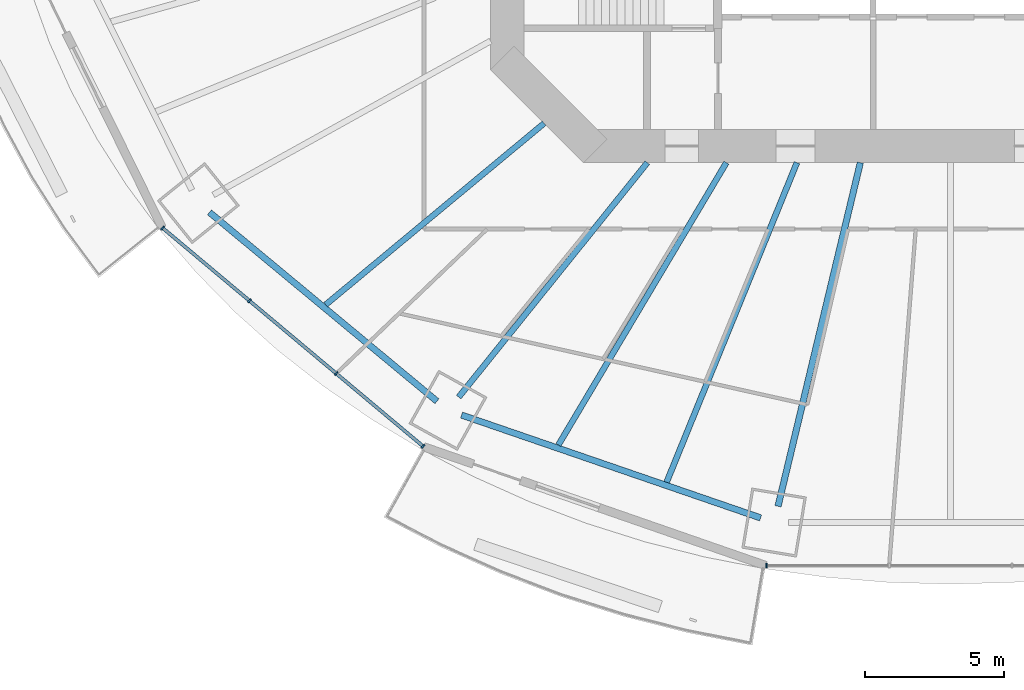
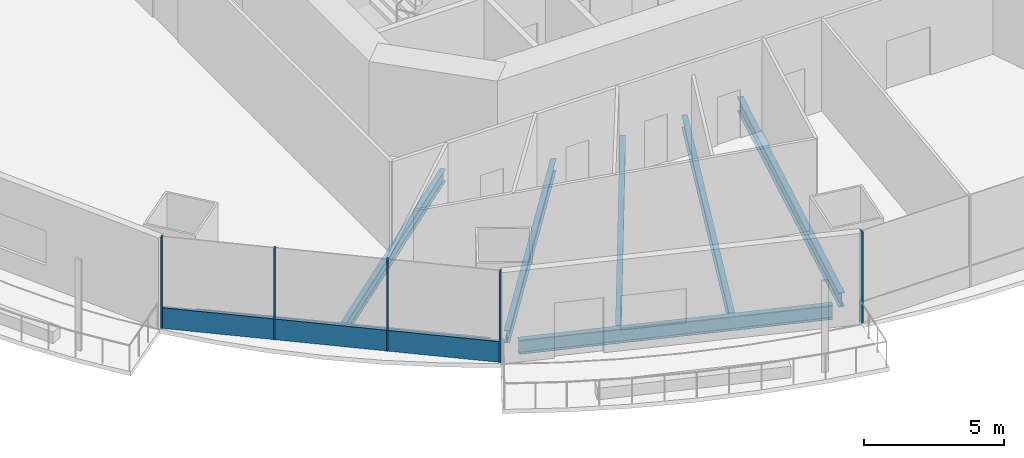
# One storey, part 2 of 22: 7 beams, 6 members, 2 elements without a shape of their own.
"""IFC4 building model written with IfcOpenShell, lengths in metres."""

from ifc_helpers import new_model, si_unit, direction, frame, origin, origin_2d, place, context, subcontext, project, spatial, rectangle, i_section, extrude, material, material_profile, profile_set, type_object, element, aggregate, save


model = new_model("IFC4")

# Units and contexts
model_context = context("Model", 3, precision=1e-05, world=origin(), true_north=direction((0.0, 1.0)))
body_context = subcontext(model_context, "Body", "Model", "MODEL_VIEW")
ifc_project = project(units=[si_unit("LENGTHUNIT", "METRE"), si_unit("AREAUNIT", "SQUARE_METRE"), si_unit("VOLUMEUNIT", "CUBIC_METRE"), si_unit("PLANEANGLEUNIT", "RADIAN"), si_unit("MASSUNIT", "GRAM", prefix="KILO")], contexts=[model_context])

# Site, building, storey
site_placement = place(None, origin())
site = spatial("IfcSite", under=ifc_project, at=site_placement, CompositionType="ELEMENT")
building_placement = place(site_placement, origin())
building = spatial("IfcBuilding", under=site, at=building_placement, Name="Marenthal Gate Tower", CompositionType="ELEMENT")
storey_placement = place(building_placement, frame((0.0, 0.0, 116.0)))
storey = spatial("IfcBuildingStorey", under=building, at=storey_placement, Name="L24", CompositionType="ELEMENT", Elevation=116.0)

# Curtain wall, members
ifc_material_1 = material(Name="Aluminium and glass", Category="aluminium")
curtain_wall_type = type_object("IfcCurtainWallType", Name="Curtain wall typical low", PredefinedType="NOTDEFINED", material=ifc_material_1)
curtain_wall_1_placement = place(storey_placement, origin())
curtain_wall_1 = element("IfcCurtainWall", 1, at=curtain_wall_1_placement, inside=storey, type_object=curtain_wall_type, Name="Curtain wall L24 bay 10", PredefinedType="NOTDEFINED")
ifc_material_2 = material(Name="Aluminium", Category="aluminium")
ifc_material_profile_1 = material_profile(ifc_material_2, rectangle(XDim=0.159912109375, YDim=0.06005859375, at=origin_2d()), Name="60x160 aluminium mullion")
ifc_profile_set_1 = profile_set([ifc_material_profile_1], Name="Aluminium")
member_type_1 = type_object("IfcMemberType", Name="Mullion 60x160 typical low", PredefinedType="MULLION", material=ifc_profile_set_1)
member_1_placement = place(storey_placement, frame((-28.434814453125, -15.95751953125, 0.0), z_axis=(0.0, 0.0, 1.0), x_axis=(0.642377082487, 0.766388728972, 0.0)))
member_1 = element("IfcMember", 2, at=member_1_placement, type_object=member_type_1, Name="Mullion L24 bay 10.1", PredefinedType="MULLION", context=body_context, shape_type="SweptSolid", body=[
    extrude(rectangle(XDim=0.159912109375, YDim=0.06005859375, at=origin_2d()), origin(), (0.0, 0.0, 1.0), 3.969970703125),
])
member_2_placement = place(storey_placement, frame((-25.302490234375, -18.5830078125, 0.0), z_axis=(0.0, 0.0, 1.0), x_axis=(0.642377082487, 0.766388728972, 0.0)))
member_2 = element("IfcMember", 3, at=member_2_placement, type_object=member_type_1, Name="Mullion L24 bay 10.2", PredefinedType="MULLION", context=body_context, shape_type="SweptSolid", body=[
    extrude(rectangle(XDim=0.159912109375, YDim=0.06005859375, at=origin_2d()), origin(), (0.0, 0.0, 1.0), 3.969970703125),
])
member_3_placement = place(storey_placement, frame((-22.170166015625, -21.20849609375, 0.0), z_axis=(0.0, 0.0, 1.0), x_axis=(0.642377082487, 0.766388728972, 0.0)))
member_3 = element("IfcMember", 4, at=member_3_placement, type_object=member_type_1, Name="Mullion L24 bay 10.3", PredefinedType="MULLION", context=body_context, shape_type="SweptSolid", body=[
    extrude(rectangle(XDim=0.159912109375, YDim=0.06005859375, at=origin_2d()), origin(), (0.0, 0.0, 1.0), 3.969970703125),
])
member_4_placement = place(storey_placement, frame((-19.037841796875, -23.833984375, 0.0), z_axis=(0.0, 0.0, 1.0), x_axis=(0.642377082487, 0.766388728972, 0.0)))
member_4 = element("IfcMember", 5, at=member_4_placement, type_object=member_type_1, Name="Mullion L24 bay 10.4", PredefinedType="MULLION", context=body_context, shape_type="SweptSolid", body=[
    extrude(rectangle(XDim=0.159912109375, YDim=0.06005859375, at=origin_2d()), origin(), (0.0, 0.0, 1.0), 3.969970703125),
])

# Curtain wall, member
curtain_wall_2_placement = place(storey_placement, origin())
curtain_wall_2 = element("IfcCurtainWall", 6, at=curtain_wall_2_placement, inside=storey, type_object=curtain_wall_type, Name="Curtain wall L24 bay 12", PredefinedType="NOTDEFINED")
member_5_placement = place(storey_placement, frame((-6.647216796875, -28.13671875, 0.0), z_axis=(0.0, 0.0, 1.0), x_axis=(0.0, 1.0, 0.0)))
member_5 = element("IfcMember", 7, at=member_5_placement, type_object=member_type_1, Name="Mullion L24 bay 12.1", PredefinedType="MULLION", context=body_context, shape_type="SweptSolid", body=[
    extrude(rectangle(XDim=0.159912109375, YDim=0.06005859375, at=origin_2d()), origin(), (0.0, 0.0, 1.0), 3.969970703125),
])
aggregate(curtain_wall_2, [member_5])

# Member
ifc_material_3 = material(Name="Aluminium", Category="aluminium")
ifc_material_profile_2 = material_profile(ifc_material_3, rectangle(XDim=0.1201171875, YDim=0.89990234375, at=origin_2d()), Name="120x900 aluminium transom")
ifc_profile_set_2 = profile_set([ifc_material_profile_2], Name="Aluminium")
member_type_2 = type_object("IfcMemberType", Name="Transom 120x900 typical low", PredefinedType="USERDEFINED", material=ifc_profile_set_2)
member_6_placement = place(storey_placement, frame((-28.411865234375, -15.976806640625, 0.449951171875), z_axis=(0.766391084467, -0.64237427225, 0.0), x_axis=(0.64237427225, 0.766391084467, 0.0)))
member_6 = element("IfcMember", 8, at=member_6_placement, type_object=member_type_2, Name="Transom L24 bay 10", ObjectType="TRANSOM", PredefinedType="USERDEFINED", context=body_context, shape_type="SweptSolid", body=[
    extrude(rectangle(XDim=0.1201171875, YDim=0.89990234375, at=origin_2d()), origin(), (0.0, 0.0, 1.0), 12.201416015625),
])

aggregate(curtain_wall_1, [member_1, member_2, member_3, member_4, member_6])

# Beams
ifc_material_4 = material(Name="Steel S355", Category="steel")
ifc_material_profile_3 = material_profile(ifc_material_4, i_section(OverallWidth=0.2099609375, OverallDepth=0.535888671875, WebThickness=0.010986328125, FlangeThickness=0.017333984375, FilletRadius=0.0126953125, at=origin_2d()), Name="W530X101")
ifc_profile_set_3 = profile_set([ifc_material_profile_3], Name="Steel S355")
beam_type_1 = type_object("IfcBeamType", Name="W530X101 beam", PredefinedType="BEAM", material=ifc_profile_set_3)
beam_1_placement = place(storey_placement, frame((-22.551025390625, -18.7255859375, -0.447998046875), z_axis=(0.769343150929, 0.638835750501, 0.0), x_axis=(-0.638835750501, 0.769343150929, 0.0)))
element("IfcBeam", 9, at=beam_1_placement, inside=storey, type_object=beam_type_1, Name="BM-L24-31", PredefinedType="BEAM", context=body_context, shape_type="SweptSolid", body=[
    extrude(i_section(OverallWidth=0.2099609375, OverallDepth=0.535888671875, WebThickness=0.010986328125, FlangeThickness=0.017333984375, FilletRadius=0.0126953125, at=origin_2d()), origin(), (0.0, 0.0, 1.0), 10.245849609375),
])
ifc_material_5 = material(Name="Steel S355", Category="steel")
ifc_material_profile_4 = material_profile(ifc_material_5, i_section(OverallWidth=0.2119140625, OverallDepth=0.5439453125, WebThickness=0.01318359375, FlangeThickness=0.021240234375, FilletRadius=0.0126953125, at=origin_2d()), Name="W530X123")
ifc_profile_set_4 = profile_set([ifc_material_profile_4], Name="Steel S355")
beam_type_2 = type_object("IfcBeamType", Name="W530X123 beam", PredefinedType="BEAM", material=ifc_profile_set_4)
beam_2_placement = place(storey_placement, frame((-17.750732421875, -22.059326171875, -0.451904296875), z_axis=(0.626924535124, 0.779079987716, 0.0), x_axis=(-0.779079987716, 0.626924535124, 0.0)))
element("IfcBeam", 10, at=beam_2_placement, inside=storey, type_object=beam_type_2, Name="BM-L24-11", PredefinedType="BEAM", context=body_context, shape_type="SweptSolid", body=[
    extrude(i_section(OverallWidth=0.2119140625, OverallDepth=0.5439453125, WebThickness=0.01318359375, FlangeThickness=0.021240234375, FilletRadius=0.0126953125, at=origin_2d()), origin(), (0.0, 0.0, 1.0), 10.85791015625),
])
beam_3_placement = place(storey_placement, frame((-14.154541015625, -23.7880859375, -0.451904296875), z_axis=(0.511357862228, 0.859367870436, 0.0), x_axis=(-0.859367870436, 0.511357862228, 0.0)))
element("IfcBeam", 11, at=beam_3_placement, inside=storey, type_object=beam_type_2, Name="BM-L24-32", PredefinedType="BEAM", context=body_context, shape_type="SweptSolid", body=[
    extrude(i_section(OverallWidth=0.2119140625, OverallDepth=0.5439453125, WebThickness=0.01318359375, FlangeThickness=0.021240234375, FilletRadius=0.0126953125, at=origin_2d()), origin(), (0.0, 0.0, 1.0), 11.855224609375),
])
beam_4_placement = place(storey_placement, frame((-10.248291015625, -25.131591796875, -0.451904296875), z_axis=(0.377598266022, 0.925969518665, 0.0), x_axis=(-0.925969518665, 0.377598266022, 0.0)))
element("IfcBeam", 12, at=beam_4_placement, inside=storey, type_object=beam_type_2, Name="BM-L24-33", PredefinedType="BEAM", context=body_context, shape_type="SweptSolid", body=[
    extrude(i_section(OverallWidth=0.2119140625, OverallDepth=0.5439453125, WebThickness=0.01318359375, FlangeThickness=0.021240234375, FilletRadius=0.0126953125, at=origin_2d()), origin(), (0.0, 0.0, 1.0), 12.453369140625),
])
ifc_material_6 = material(Name="Steel S355", Category="steel")
ifc_material_profile_5 = material_profile(ifc_material_6, i_section(OverallWidth=0.22900390625, OverallDepth=0.612060546875, WebThickness=0.011962890625, FlangeThickness=0.01953125, FilletRadius=0.0126953125, at=origin_2d()), Name="W610X125")
ifc_profile_set_5 = profile_set([ifc_material_profile_5], Name="Steel S355")
beam_type_3 = type_object("IfcBeamType", Name="W610X125 beam", PredefinedType="BEAM", material=ifc_profile_set_5)
beam_5_placement = place(storey_placement, frame((-6.228515625, -26.000732421875, -0.486083984375), z_axis=(0.232968867139, 0.972484193673, 0.0), x_axis=(-0.972484193673, 0.232968867139, 0.0)))
element("IfcBeam", 13, at=beam_5_placement, inside=storey, type_object=beam_type_3, Name="BM-L24-12", PredefinedType="BEAM", context=body_context, shape_type="SweptSolid", body=[
    extrude(i_section(OverallWidth=0.22900390625, OverallDepth=0.612060546875, WebThickness=0.011962890625, FlangeThickness=0.01953125, FilletRadius=0.0126953125, at=origin_2d()), origin(), (0.0, 0.0, 1.0), 12.75146484375),
])
beam_6_placement = place(storey_placement, frame((-26.743896484375, -15.392822265625, -0.486083984375), z_axis=(0.769349195684, -0.638828470796, 0.0), x_axis=(0.638828470796, 0.769349195684, 0.0)))
element("IfcBeam", 14, at=beam_6_placement, inside=storey, type_object=beam_type_3, Name="BM-L24-50", PredefinedType="BEAM", context=body_context, shape_type="SweptSolid", body=[
    extrude(i_section(OverallWidth=0.22900390625, OverallDepth=0.612060546875, WebThickness=0.011962890625, FlangeThickness=0.01953125, FilletRadius=0.0126953125, at=origin_2d()), origin(), (0.0, 0.0, 1.0), 10.66943359375),
])
beam_7_placement = place(storey_placement, frame((-17.649658203125, -22.707275390625, -0.486083984375), z_axis=(0.945631108542, -0.325241151391, 0.0), x_axis=(0.325241151391, 0.945631108542, 0.0)))
element("IfcBeam", 15, at=beam_7_placement, inside=storey, type_object=beam_type_3, Name="BM-L24-51", PredefinedType="BEAM", context=body_context, shape_type="SweptSolid", body=[
    extrude(i_section(OverallWidth=0.22900390625, OverallDepth=0.612060546875, WebThickness=0.011962890625, FlangeThickness=0.01953125, FilletRadius=0.0126953125, at=origin_2d()), origin(), (0.0, 0.0, 1.0), 11.4150390625),
])

save(model, "model.ifc")
